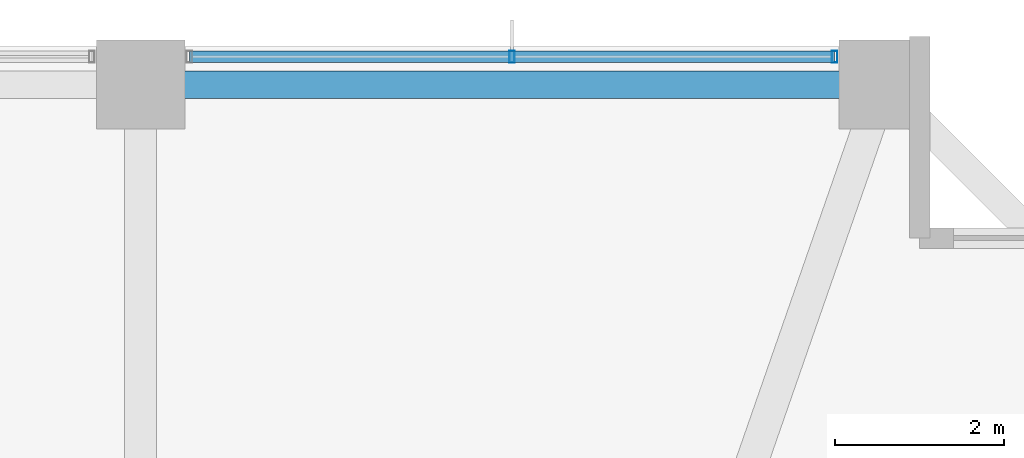
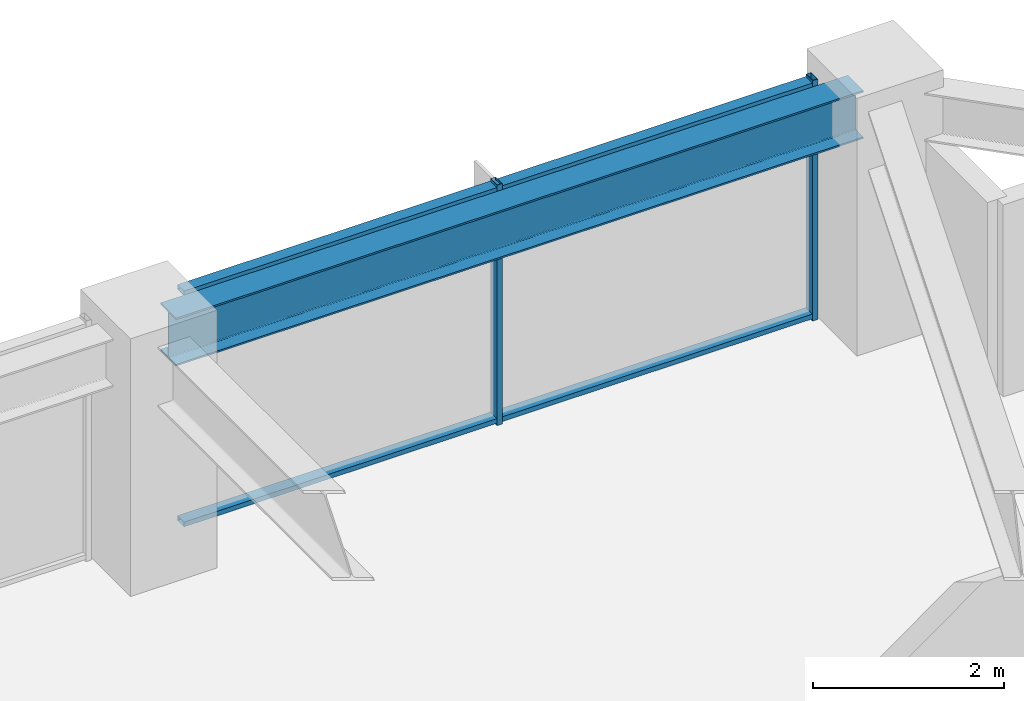
# One storey, part 24 of 36: 4 members, 1 beam, 1 element without a shape of its own.
"""IFC4 building model written with IfcOpenShell, lengths in metres."""

from ifc_helpers import new_model, si_unit, direction, frame, origin, origin_2d, place, context, subcontext, project, spatial, hollow_rectangle, i_section, extrude, material, material_profile, profile_set, type_object, element, aggregate, save


model = new_model("IFC4")

# Units and contexts
model_context = context("Model", 3, precision=1e-05, world=origin(), true_north=direction((0.0, 1.0)))
body_context = subcontext(model_context, "Body", "Model", "MODEL_VIEW")
ifc_project = project(units=[si_unit("LENGTHUNIT", "METRE"), si_unit("AREAUNIT", "SQUARE_METRE"), si_unit("VOLUMEUNIT", "CUBIC_METRE"), si_unit("PLANEANGLEUNIT", "RADIAN"), si_unit("MASSUNIT", "GRAM", prefix="KILO")], contexts=[model_context])

# Site, building, storey
site_placement = place(None, origin())
site = spatial("IfcSite", under=ifc_project, at=site_placement, CompositionType="ELEMENT")
building_placement = place(site_placement, origin())
building = spatial("IfcBuilding", under=site, at=building_placement, Name="Kolvaren Belvedere", CompositionType="ELEMENT")
storey_placement = place(building_placement, frame((0.0, 0.0, 92.0)))
storey = spatial("IfcBuildingStorey", under=building, at=storey_placement, Name="L26", CompositionType="ELEMENT", Elevation=92.0)

# Beam
ifc_material_1 = material(Name="Structural steel ASTM A992 Grade 50", Category="steel")
ifc_material_profile_1 = material_profile(ifc_material_1, i_section(OverallWidth=0.324951171875, OverallDepth=0.615966796875, WebThickness=0.013916015625, FlangeThickness=0.021484375, FilletRadius=0.02001953125, at=origin_2d()), Name="W24X117")
ifc_profile_set_1 = profile_set([ifc_material_profile_1], Name="Structural steel ASTM A992 Grade 50")
beam_type = type_object("IfcBeamType", Name="BM-SPAN-W24X117", PredefinedType="SPANDREL", material=ifc_profile_set_1)
beam_placement = place(storey_placement, frame((13.163818359375, 19.949951171875, 2.77197265625), z_axis=(-1.0, 0.0, 0.0), x_axis=(0.0, -1.0, 0.0)))
element("IfcBeam", 1, at=beam_placement, inside=storey, type_object=beam_type, Name="L26 Perimeter Spandrel N4-N3", PredefinedType="SPANDREL", context=body_context, shape_type="SweptSolid", body=[
    extrude(i_section(OverallWidth=0.324951171875, OverallDepth=0.615966796875, WebThickness=0.013916015625, FlangeThickness=0.021484375, FilletRadius=0.02001953125, at=origin_2d()), origin(), (0.0, 0.0, 1.0), 8.32763671875),
])

# Curtain wall, members
ifc_material_2 = material(Name="Anodised pale-metal aluminium AA 6063-T6", Category="aluminium")
curtain_wall_type = type_object("IfcCurtainWallType", Name="CW-Z2-MID", PredefinedType="NOTDEFINED", material=ifc_material_2)
curtain_wall_placement = place(storey_placement, origin())
curtain_wall = element("IfcCurtainWall", 2, at=curtain_wall_placement, inside=storey, type_object=curtain_wall_type, Name="L26 Unitised Curtain Wall FCW-L26-N-B3", PredefinedType="NOTDEFINED")
ifc_material_3 = material(Name="Anodised pale-metal aluminium AA 6063-T6", Category="aluminium")
ifc_material_profile_2 = material_profile(ifc_material_3, hollow_rectangle(XDim=0.06494140625, YDim=0.139892578125, WallThickness=0.00390625, at=origin_2d()), Name="ALU-MUL-140X65")
ifc_profile_set_2 = profile_set([ifc_material_profile_2], Name="Anodised pale-metal aluminium AA 6063-T6")
member_type_1 = type_object("IfcMemberType", Name="CW-MUL-140", PredefinedType="MULLION", material=ifc_profile_set_2)
member_1_placement = place(storey_placement, frame((9.0, 20.280029296875, 0.0), z_axis=(0.0, 0.0, 1.0), x_axis=(1.0, 0.0, 0.0)))
member_1 = element("IfcMember", 3, at=member_1_placement, type_object=member_type_1, Name="FCW-L26-N-B3 Unitised Mullion 2", PredefinedType="MULLION", context=body_context, shape_type="SweptSolid", body=[
    extrude(hollow_rectangle(XDim=0.06494140625, YDim=0.139892578125, WallThickness=0.00390625, at=origin_2d()), origin(), (0.0, 0.0, 1.0), 3.080078125),
])
member_2_placement = place(storey_placement, frame((12.822509765625, 20.280029296875, 0.0), z_axis=(0.0, 0.0, 1.0), x_axis=(1.0, 0.0, 0.0)))
member_2 = element("IfcMember", 4, at=member_2_placement, type_object=member_type_1, Name="FCW-L26-N-B3 Unitised Mullion 3", PredefinedType="MULLION", context=body_context, shape_type="SweptSolid", body=[
    extrude(hollow_rectangle(XDim=0.06494140625, YDim=0.139892578125, WallThickness=0.00390625, at=origin_2d()), origin(), (0.0, 0.0, 1.0), 3.080078125),
])
ifc_material_4 = material(Name="Anodised pale-metal aluminium AA 6063-T6", Category="aluminium")
ifc_material_profile_3 = material_profile(ifc_material_4, hollow_rectangle(XDim=0.06005859375, YDim=0.139892578125, WallThickness=0.00390625, at=origin_2d()), Name="ALU-TRN-140X60")
ifc_profile_set_3 = profile_set([ifc_material_profile_3], Name="Anodised pale-metal aluminium AA 6063-T6")
member_type_2 = type_object("IfcMemberType", Name="CW-TRN-140", PredefinedType="USERDEFINED", material=ifc_profile_set_3)
member_3_placement = place(storey_placement, frame((5.177490234375, 20.280029296875, 0.06005859375), z_axis=(1.0, 0.0, 0.0), x_axis=(0.0, 0.0, 1.0)))
member_3 = element("IfcMember", 5, at=member_3_placement, type_object=member_type_2, Name="FCW-L26-N-B3 Sill Transom", ObjectType="TRANSOM", PredefinedType="USERDEFINED", context=body_context, shape_type="SweptSolid", body=[
    extrude(hollow_rectangle(XDim=0.06005859375, YDim=0.139892578125, WallThickness=0.00390625, at=origin_2d()), origin(), (0.0, 0.0, 1.0), 7.64501953125),
])
member_4_placement = place(storey_placement, frame((5.177490234375, 20.280029296875, 3.02001953125), z_axis=(1.0, 0.0, 0.0), x_axis=(0.0, 0.0, 1.0)))
member_4 = element("IfcMember", 6, at=member_4_placement, type_object=member_type_2, Name="FCW-L26-N-B3 Head Transom", ObjectType="TRANSOM", PredefinedType="USERDEFINED", context=body_context, shape_type="SweptSolid", body=[
    extrude(hollow_rectangle(XDim=0.06005859375, YDim=0.139892578125, WallThickness=0.00390625, at=origin_2d()), origin(), (0.0, 0.0, 1.0), 7.64501953125),
])
aggregate(curtain_wall, [member_1, member_2, member_3, member_4])

save(model, "model.ifc")
